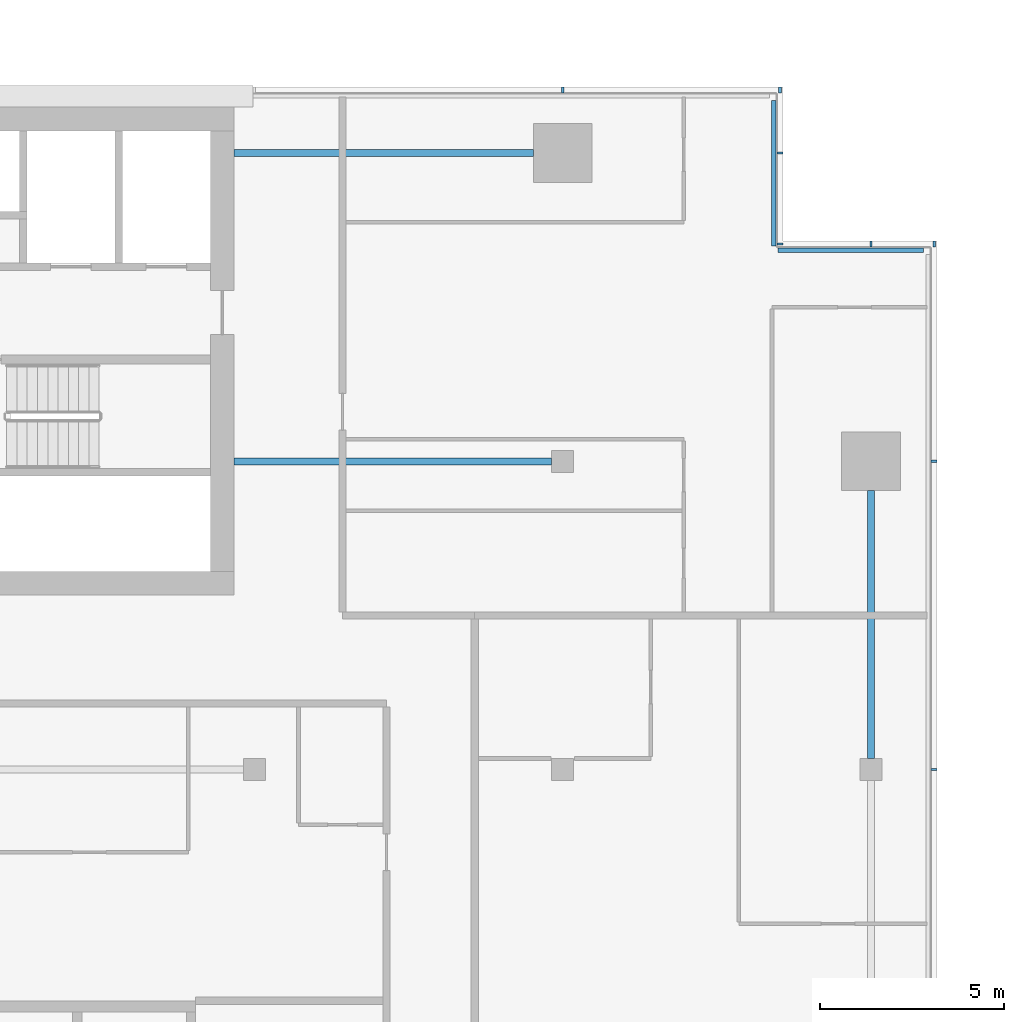
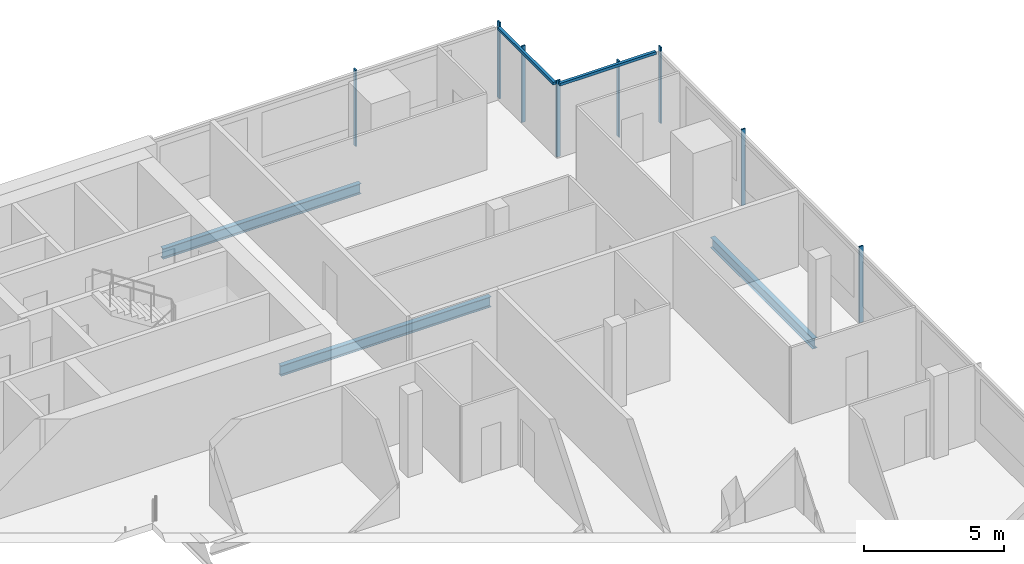
# One storey, part 15 of 30: 10 members, 3 beams, 4 elements without a shape of their own.
"""IFC4 building model written with IfcOpenShell, lengths in metres."""

from ifc_helpers import new_model, si_unit, direction, frame, origin, origin_2d, place, context, subcontext, project, spatial, rectangle, i_section, extrude, material, material_profile, profile_set, type_object, element, aggregate, save


model = new_model("IFC4")

# Units and contexts
model_context = context("Model", 3, precision=1e-05, world=origin(), true_north=direction((0.0, 1.0)))
body_context = subcontext(model_context, "Body", "Model", "MODEL_VIEW")
ifc_project = project(units=[si_unit("LENGTHUNIT", "METRE"), si_unit("AREAUNIT", "SQUARE_METRE"), si_unit("VOLUMEUNIT", "CUBIC_METRE"), si_unit("PLANEANGLEUNIT", "RADIAN"), si_unit("MASSUNIT", "GRAM", prefix="KILO")], contexts=[model_context])

# Site, building, storey
site_placement = place(None, origin())
site = spatial("IfcSite", under=ifc_project, at=site_placement, CompositionType="ELEMENT")
building_placement = place(site_placement, origin())
building = spatial("IfcBuilding", under=site, at=building_placement, Name="Saffron Gate Tower", CompositionType="ELEMENT")
storey_placement = place(building_placement, frame((0.0, 0.0, 237.89990234375)))
storey = spatial("IfcBuildingStorey", under=building, at=storey_placement, Name="L58", CompositionType="ELEMENT", Elevation=237.89990234375)

# Beams
ifc_material_1 = material(Name="Structural steel S355", Category="steel")
ifc_material_profile_1 = material_profile(ifc_material_1, i_section(OverallWidth=0.18994140625, OverallDepth=0.449951171875, WebThickness=0.009521484375, FlangeThickness=0.0146484375, FilletRadius=0.02099609375, at=origin_2d()))
ifc_profile_set_1 = profile_set([ifc_material_profile_1], Name="Structural steel S355")
beam_type_1 = type_object("IfcBeamType", Name="B6 IPE 450", PredefinedType="BEAM", material=ifc_profile_set_1)
beam_1_placement = place(storey_placement, frame((116.699951171875, 65.39990234375, -0.5048828125), z_axis=(-1.0, 0.0, 0.0), x_axis=(0.0, -1.0, 0.0)))
element("IfcBeam", 1, at=beam_1_placement, inside=storey, type_object=beam_type_1, Name="B6 CORE TIE BEAM", PredefinedType="BEAM", context=body_context, shape_type="SweptSolid", body=[
    extrude(i_section(OverallWidth=0.18994140625, OverallDepth=0.449951171875, WebThickness=0.009521484375, FlangeThickness=0.0146484375, FilletRadius=0.02099609375, at=origin_2d()), origin(), (0.0, 0.0, 1.0), 8.64990234375),
])
beam_2_placement = place(storey_placement, frame((116.199951171875, 73.800048828125, -0.5048828125), z_axis=(-1.0, 0.0, 0.0), x_axis=(0.0, -1.0, 0.0)))
element("IfcBeam", 2, at=beam_2_placement, inside=storey, type_object=beam_type_1, Name="B6 CORE TIE BEAM", PredefinedType="BEAM", context=body_context, shape_type="SweptSolid", body=[
    extrude(i_section(OverallWidth=0.18994140625, OverallDepth=0.449951171875, WebThickness=0.009521484375, FlangeThickness=0.0146484375, FilletRadius=0.02099609375, at=origin_2d()), origin(), (0.0, 0.0, 1.0), 8.14990234375),
])
ifc_material_profile_2 = material_profile(ifc_material_1, i_section(OverallWidth=0.18994140625, OverallDepth=0.449951171875, WebThickness=0.009521484375, FlangeThickness=0.0146484375, FilletRadius=0.02099609375, at=origin_2d()))
ifc_profile_set_2 = profile_set([ifc_material_profile_2], Name="Structural steel S355")
beam_type_2 = type_object("IfcBeamType", Name="B7 IPE 450", PredefinedType="SPANDREL", material=ifc_profile_set_2)
beam_3_placement = place(storey_placement, frame((125.39990234375, 57.300048828125, -0.5048828125), z_axis=(0.0, 1.0, 0.0), x_axis=(-1.0, 0.0, 0.0)))
element("IfcBeam", 3, at=beam_3_placement, inside=storey, type_object=beam_type_2, Name="B7 SPANDREL BEAM", PredefinedType="SPANDREL", context=body_context, shape_type="SweptSolid", body=[
    extrude(i_section(OverallWidth=0.18994140625, OverallDepth=0.449951171875, WebThickness=0.009521484375, FlangeThickness=0.0146484375, FilletRadius=0.02099609375, at=origin_2d()), origin(), (0.0, 0.0, 1.0), 7.300048828125),
])

# Curtain wall, members
ifc_material_2 = material(Name="Aluminium, bronze anodised", Category="aluminium")
curtain_wall_type_1 = type_object("IfcCurtainWallType", Name="CWS2 curtain wall side facades", PredefinedType="NOTDEFINED", material=ifc_material_2)
curtain_wall_1_placement = place(storey_placement, origin())
curtain_wall_1 = element("IfcCurtainWall", 4, at=curtain_wall_1_placement, inside=storey, type_object=curtain_wall_type_1, Name="CWS2 run 4", PredefinedType="NOTDEFINED")
ifc_material_profile_3 = material_profile(ifc_material_2, rectangle(XDim=0.159912109375, YDim=0.06005859375, at=origin_2d()))
ifc_profile_set_3 = profile_set([ifc_material_profile_3], Name="Aluminium, bronze anodised")
member_type_1 = type_object("IfcMemberType", Name="CWS2 mullion 60x160", PredefinedType="MULLION", material=ifc_profile_set_3)
member_1_placement = place(storey_placement, frame((127.1201171875, 57.0, 0.0), z_axis=(0.0, 0.0, 1.0), x_axis=(-1.0, 0.0, 0.0)))
member_1 = element("IfcMember", 5, at=member_1_placement, type_object=member_type_1, Name="CWS2 mullion 4", PredefinedType="MULLION", context=body_context, shape_type="SweptSolid", body=[
    extrude(rectangle(XDim=0.159912109375, YDim=0.06005859375, at=origin_2d()), origin(), (0.0, 0.0, 1.0), 3.320068359375),
])
member_2_placement = place(storey_placement, frame((127.1201171875, 65.39990234375, 0.0), z_axis=(0.0, 0.0, 1.0), x_axis=(-1.0, 0.0, 0.0)))
member_2 = element("IfcMember", 6, at=member_2_placement, type_object=member_type_1, Name="CWS2 mullion 5", PredefinedType="MULLION", context=body_context, shape_type="SweptSolid", body=[
    extrude(rectangle(XDim=0.159912109375, YDim=0.06005859375, at=origin_2d()), origin(), (0.0, 0.0, 1.0), 3.320068359375),
])
aggregate(curtain_wall_1, [member_1, member_2])

curtain_wall_type_2 = type_object("IfcCurtainWallType", Name="CWS3 curtain wall rear facade", PredefinedType="NOTDEFINED", material=ifc_material_2)
curtain_wall_2_placement = place(storey_placement, origin())
curtain_wall_2 = element("IfcCurtainWall", 7, at=curtain_wall_2_placement, inside=storey, type_object=curtain_wall_type_2, Name="CWS3 run 7", PredefinedType="NOTDEFINED")
ifc_material_profile_4 = material_profile(ifc_material_2, rectangle(XDim=0.159912109375, YDim=0.070068359375, at=origin_2d()))
ifc_profile_set_4 = profile_set([ifc_material_profile_4], Name="Aluminium, bronze anodised")
member_type_2 = type_object("IfcMemberType", Name="CWS3 mullion 70x160", PredefinedType="MULLION", material=ifc_profile_set_4)
member_3_placement = place(storey_placement, frame((122.919921875, 75.52001953125, 0.0), z_axis=(0.0, 0.0, 1.0), x_axis=(0.0, -1.0, 0.0)))
member_3 = element("IfcMember", 8, at=member_3_placement, type_object=member_type_2, Name="CWS3 mullion 1", PredefinedType="MULLION", context=body_context, shape_type="SweptSolid", body=[
    extrude(rectangle(XDim=0.159912109375, YDim=0.070068359375, at=origin_2d()), origin(), (0.0, 0.0, 1.0), 3.320068359375),
])
member_4_placement = place(storey_placement, frame((117.0, 75.52001953125, 0.0), z_axis=(0.0, 0.0, 1.0), x_axis=(0.0, -1.0, 0.0)))
member_4 = element("IfcMember", 9, at=member_4_placement, type_object=member_type_2, Name="CWS3 mullion 2", PredefinedType="MULLION", context=body_context, shape_type="SweptSolid", body=[
    extrude(rectangle(XDim=0.159912109375, YDim=0.070068359375, at=origin_2d()), origin(), (0.0, 0.0, 1.0), 3.320068359375),
])
aggregate(curtain_wall_2, [member_3, member_4])

# Curtain wall, member
curtain_wall_type_3 = type_object("IfcCurtainWallType", Name="CWS4 curtain wall corner returns", PredefinedType="NOTDEFINED", material=ifc_material_2)
curtain_wall_3_placement = place(storey_placement, origin())
curtain_wall_3 = element("IfcCurtainWall", 10, at=curtain_wall_3_placement, inside=storey, type_object=curtain_wall_type_3, Name="CWS4 run 5", PredefinedType="NOTDEFINED")
ifc_material_profile_5 = material_profile(ifc_material_2, rectangle(XDim=0.1201171875, YDim=0.1201171875, at=origin_2d()))
ifc_profile_set_5 = profile_set([ifc_material_profile_5], Name="Aluminium, bronze anodised")
member_type_3 = type_object("IfcMemberType", Name="CWS4 head transom", PredefinedType="USERDEFINED", material=ifc_profile_set_5)
member_5_placement = place(storey_placement, frame((126.83203125, 71.152099609375, 3.260009765625), z_axis=(-1.0, 0.0, 0.0), x_axis=(0.0, -1.0, 0.0)))
member_5 = element("IfcMember", 11, at=member_5_placement, type_object=member_type_3, Name="CWS4 head transom", ObjectType="TRANSOM", PredefinedType="USERDEFINED", context=body_context, shape_type="SweptSolid", body=[
    extrude(rectangle(XDim=0.1201171875, YDim=0.1201171875, at=origin_2d()), origin(), (0.0, 0.0, 1.0), 3.9599609375),
])

curtain_wall_4_placement = place(storey_placement, origin())
curtain_wall_4 = element("IfcCurtainWall", 12, at=curtain_wall_4_placement, inside=storey, type_object=curtain_wall_type_3, Name="CWS4 run 6", PredefinedType="NOTDEFINED")
member_6_placement = place(storey_placement, frame((122.751953125, 71.27197265625, 3.260009765625), z_axis=(0.0, 1.0, 0.0), x_axis=(-1.0, 0.0, 0.0)))
member_6 = element("IfcMember", 13, at=member_6_placement, type_object=member_type_3, Name="CWS4 head transom", ObjectType="TRANSOM", PredefinedType="USERDEFINED", context=body_context, shape_type="SweptSolid", body=[
    extrude(rectangle(XDim=0.1201171875, YDim=0.1201171875, at=origin_2d()), origin(), (0.0, 0.0, 1.0), 3.9599609375),
])

# Member
ifc_material_profile_6 = material_profile(ifc_material_2, rectangle(XDim=0.159912109375, YDim=0.06005859375, at=origin_2d()))
ifc_profile_set_6 = profile_set([ifc_material_profile_6], Name="Aluminium, bronze anodised")
member_type_4 = type_object("IfcMemberType", Name="CWS4 mullion 60x160", PredefinedType="MULLION", material=ifc_profile_set_6)
member_7_placement = place(storey_placement, frame((127.1201171875, 71.320068359375, 0.0), z_axis=(0.0, 0.0, 1.0), x_axis=(0.0, -1.0, 0.0)))
member_7 = element("IfcMember", 14, at=member_7_placement, type_object=member_type_4, Name="CWS4 mullion 1", PredefinedType="MULLION", context=body_context, shape_type="SweptSolid", body=[
    extrude(rectangle(XDim=0.159912109375, YDim=0.06005859375, at=origin_2d()), origin(), (0.0, 0.0, 1.0), 3.320068359375),
])

member_8_placement = place(storey_placement, frame((125.39990234375, 71.320068359375, 0.0), z_axis=(0.0, 0.0, 1.0), x_axis=(0.0, -1.0, 0.0)))
member_8 = element("IfcMember", 15, at=member_8_placement, type_object=member_type_4, Name="CWS4 mullion 2", PredefinedType="MULLION", context=body_context, shape_type="SweptSolid", body=[
    extrude(rectangle(XDim=0.159912109375, YDim=0.06005859375, at=origin_2d()), origin(), (0.0, 0.0, 1.0), 3.320068359375),
])

aggregate(curtain_wall_3, [member_7, member_8, member_5])

member_9_placement = place(storey_placement, frame((122.919921875, 71.320068359375, 0.0), z_axis=(0.0, 0.0, 1.0), x_axis=(-1.0, 0.0, 0.0)))
member_9 = element("IfcMember", 16, at=member_9_placement, type_object=member_type_4, Name="CWS4 mullion 1", PredefinedType="MULLION", context=body_context, shape_type="SweptSolid", body=[
    extrude(rectangle(XDim=0.159912109375, YDim=0.06005859375, at=origin_2d()), origin(), (0.0, 0.0, 1.0), 3.320068359375),
])

member_10_placement = place(storey_placement, frame((122.919921875, 73.800048828125, 0.0), z_axis=(0.0, 0.0, 1.0), x_axis=(-1.0, 0.0, 0.0)))
member_10 = element("IfcMember", 17, at=member_10_placement, type_object=member_type_4, Name="CWS4 mullion 2", PredefinedType="MULLION", context=body_context, shape_type="SweptSolid", body=[
    extrude(rectangle(XDim=0.159912109375, YDim=0.06005859375, at=origin_2d()), origin(), (0.0, 0.0, 1.0), 3.320068359375),
])

aggregate(curtain_wall_4, [member_9, member_10, member_6])

save(model, "model.ifc")
